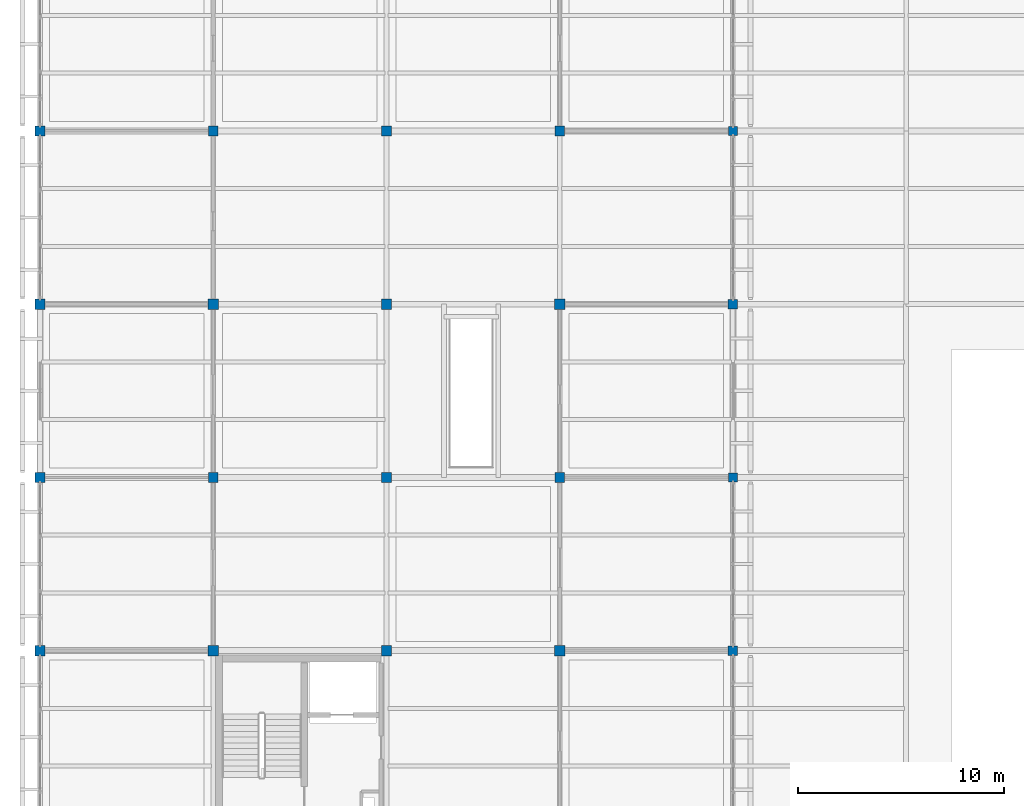
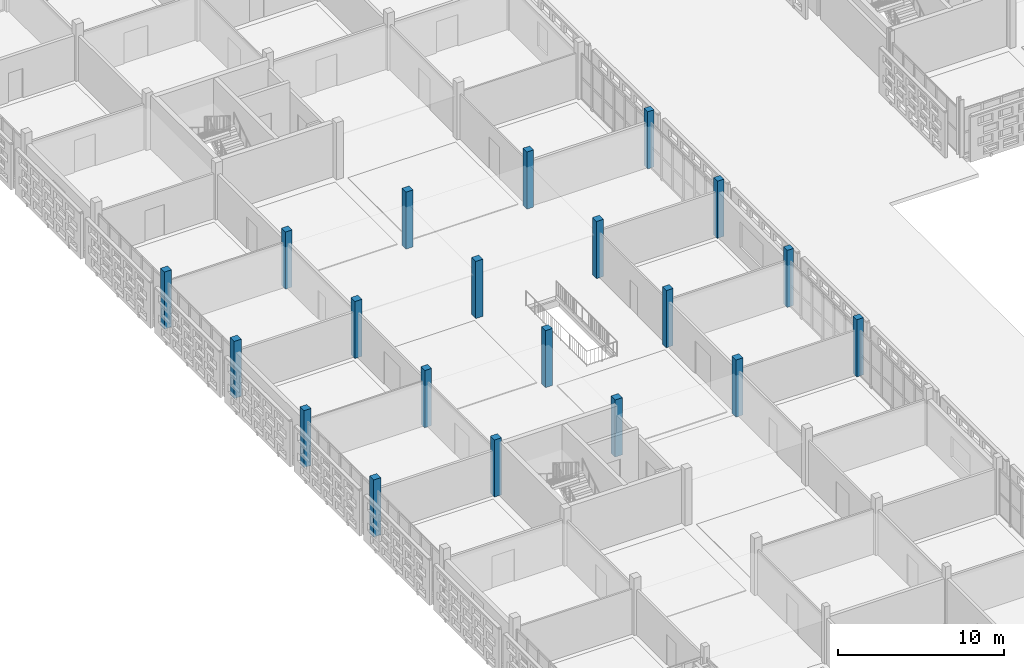
# One storey, part 3 of 166: 20 columns.
"""IFC4 building model written with IfcOpenShell, lengths in metres."""

from ifc_helpers import new_model, si_unit, direction, frame, origin, origin_2d, place, context, subcontext, project, spatial, rectangle, extrude, material, material_profile, profile_set, type_object, element, save


model = new_model("IFC4")

# Units and contexts
model_context = context("Model", 3, precision=1e-05, world=origin(), true_north=direction((0.0, 1.0)))
body_context = subcontext(model_context, "Body", "Model", "MODEL_VIEW")
ifc_project = project(units=[si_unit("LENGTHUNIT", "METRE"), si_unit("AREAUNIT", "SQUARE_METRE"), si_unit("VOLUMEUNIT", "CUBIC_METRE"), si_unit("PLANEANGLEUNIT", "RADIAN"), si_unit("MASSUNIT", "GRAM", prefix="KILO")], contexts=[model_context])

# Site, building, storey
site_placement = place(None, origin())
site = spatial("IfcSite", under=ifc_project, at=site_placement, CompositionType="ELEMENT")
building_placement = place(site_placement, origin())
building = spatial("IfcBuilding", under=site, at=building_placement, Name="Varnapada Polytechnic", CompositionType="ELEMENT")
storey_placement = place(building_placement, frame((0.0, 0.0, 9.60009765625)))
storey = spatial("IfcBuildingStorey", under=building, at=storey_placement, Name="L02", CompositionType="ELEMENT", Elevation=9.60009765625)

# Columns
ifc_material = material(Name="Glulam GL32h", Category="wood")
ifc_material_profile_1 = material_profile(ifc_material, rectangle(XDim=0.4599609375, YDim=0.4599609375, at=origin_2d()), Name="GL 460x460")
ifc_profile_set_1 = profile_set([ifc_material_profile_1], Name="Glulam GL32h")
column_type_1 = type_object("IfcColumnType", Name="Column C-12 (GL 460x460)", PredefinedType="COLUMN", material=ifc_profile_set_1)
for number, where, z_axis, x_axis, name in (
    (1, (33.60009765625, 67.199951171875, 0.0), (0.0, 0.0, 1.0), (1.0, 0.0, 0.0), "L02 column 5/9"),
    (2, (33.60009765625, 84.0, 0.0), (0.0, 0.0, 1.0), (1.0, 0.0, 0.0), "L02 column 5/11"),
):
    element("IfcColumn", number, at=place(storey_placement, frame(where, z_axis=z_axis, x_axis=x_axis)), inside=storey, type_object=column_type_1, Name=name, PredefinedType="COLUMN", context=body_context, shape_type="SweptSolid", body=[
        extrude(rectangle(XDim=0.4599609375, YDim=0.4599609375, at=origin_2d()), origin(), (0.0, 0.0, 1.0), 4.199951171875),
    ])
ifc_material_profile_2 = material_profile(ifc_material, rectangle(XDim=0.5, YDim=0.5, at=origin_2d()), Name="GL 500x500")
ifc_profile_set_2 = profile_set([ifc_material_profile_2], Name="Glulam GL32h")
column_type_2 = type_object("IfcColumnType", Name="Column C-22 (GL 500x500)", PredefinedType="COLUMN", material=ifc_profile_set_2)
for number, where, z_axis, x_axis, name in (
    (3, (0.0, 67.199951171875, 0.0), (0.0, 0.0, 1.0), (1.0, 0.0, 0.0), "L02 column 1/9"),
    (4, (0.0, 84.0, 0.0), (0.0, 0.0, 1.0), (1.0, 0.0, 0.0), "L02 column 1/11"),
    (5, (8.39990234375, 67.199951171875, 0.0), (0.0, 0.0, 1.0), (1.0, 0.0, 0.0), "L02 column 2/9"),
    (6, (8.39990234375, 84.0, 0.0), (0.0, 0.0, 1.0), (1.0, 0.0, 0.0), "L02 column 2/11"),
    (7, (16.800048828125, 67.199951171875, 0.0), (0.0, 0.0, 1.0), (1.0, 0.0, 0.0), "L02 column 3/9"),
    (8, (16.800048828125, 84.0, 0.0), (0.0, 0.0, 1.0), (1.0, 0.0, 0.0), "L02 column 3/11"),
    (9, (25.199951171875, 67.199951171875, 0.0), (0.0, 0.0, 1.0), (1.0, 0.0, 0.0), "L02 column 4/9"),
    (10, (25.199951171875, 84.0, 0.0), (0.0, 0.0, 1.0), (1.0, 0.0, 0.0), "L02 column 4/11"),
):
    element("IfcColumn", number, at=place(storey_placement, frame(where, z_axis=z_axis, x_axis=x_axis)), inside=storey, type_object=column_type_2, Name=name, PredefinedType="COLUMN", context=body_context, shape_type="SweptSolid", body=[
        extrude(rectangle(XDim=0.5, YDim=0.5, at=origin_2d()), origin(), (0.0, 0.0, 1.0), 4.199951171875),
    ])
ifc_material_profile_3 = material_profile(ifc_material, rectangle(XDim=0.47998046875, YDim=0.47998046875, at=origin_2d()), Name="GL 480x480")
ifc_profile_set_3 = profile_set([ifc_material_profile_3], Name="Glulam GL32h")
column_type_3 = type_object("IfcColumnType", Name="Column C-25 (GL 480x480)", PredefinedType="COLUMN", material=ifc_profile_set_3)
for number, where, z_axis, x_axis, name in (
    (11, (0.0, 75.60009765625, 0.0), (0.0, 0.0, 1.0), (1.0, 0.0, 0.0), "L02 column 1/10"),
    (12, (0.0, 92.39990234375, 0.0), (0.0, 0.0, 1.0), (1.0, 0.0, 0.0), "L02 column 1/12"),
    (13, (8.39990234375, 75.60009765625, 0.0), (0.0, 0.0, 1.0), (1.0, 0.0, 0.0), "L02 column 2/10"),
    (14, (8.39990234375, 92.39990234375, 0.0), (0.0, 0.0, 1.0), (1.0, 0.0, 0.0), "L02 column 2/12"),
    (15, (16.800048828125, 75.60009765625, 0.0), (0.0, 0.0, 1.0), (1.0, 0.0, 0.0), "L02 column 3/10"),
    (16, (16.800048828125, 92.39990234375, 0.0), (0.0, 0.0, 1.0), (1.0, 0.0, 0.0), "L02 column 3/12"),
    (17, (25.199951171875, 75.60009765625, 0.0), (0.0, 0.0, 1.0), (1.0, 0.0, 0.0), "L02 column 4/10"),
    (18, (25.199951171875, 92.39990234375, 0.0), (0.0, 0.0, 1.0), (1.0, 0.0, 0.0), "L02 column 4/12"),
):
    element("IfcColumn", number, at=place(storey_placement, frame(where, z_axis=z_axis, x_axis=x_axis)), inside=storey, type_object=column_type_3, Name=name, PredefinedType="COLUMN", context=body_context, shape_type="SweptSolid", body=[
        extrude(rectangle(XDim=0.47998046875, YDim=0.47998046875, at=origin_2d()), origin(), (0.0, 0.0, 1.0), 4.199951171875),
    ])
ifc_material_profile_4 = material_profile(ifc_material, rectangle(XDim=0.43994140625, YDim=0.43994140625, at=origin_2d()), Name="GL 440x440")
ifc_profile_set_4 = profile_set([ifc_material_profile_4], Name="Glulam GL32h")
column_type_4 = type_object("IfcColumnType", Name="Column C-26 (GL 440x440)", PredefinedType="COLUMN", material=ifc_profile_set_4)
for number, where, z_axis, x_axis, name in (
    (19, (33.60009765625, 75.60009765625, 0.0), (0.0, 0.0, 1.0), (1.0, 0.0, 0.0), "L02 column 5/10"),
    (20, (33.60009765625, 92.39990234375, 0.0), (0.0, 0.0, 1.0), (1.0, 0.0, 0.0), "L02 column 5/12"),
):
    element("IfcColumn", number, at=place(storey_placement, frame(where, z_axis=z_axis, x_axis=x_axis)), inside=storey, type_object=column_type_4, Name=name, PredefinedType="COLUMN", context=body_context, shape_type="SweptSolid", body=[
        extrude(rectangle(XDim=0.43994140625, YDim=0.43994140625, at=origin_2d()), origin(), (0.0, 0.0, 1.0), 4.199951171875),
    ])

save(model, "model.ifc")
